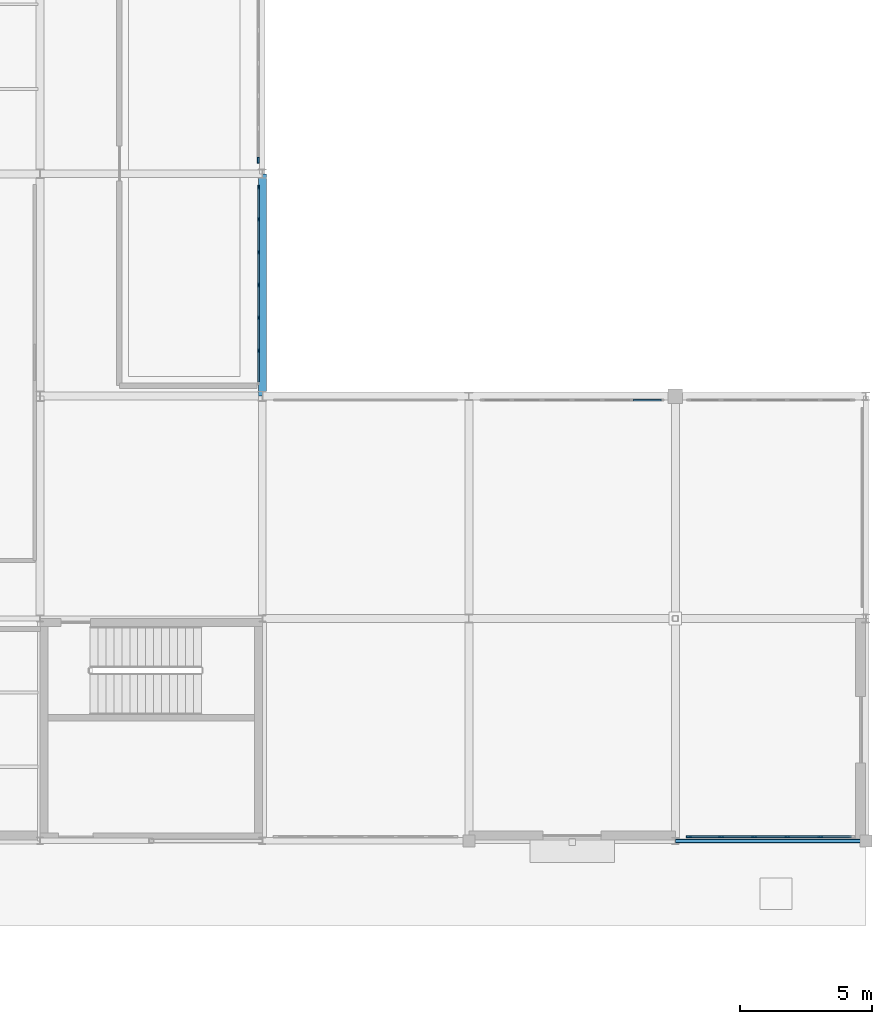
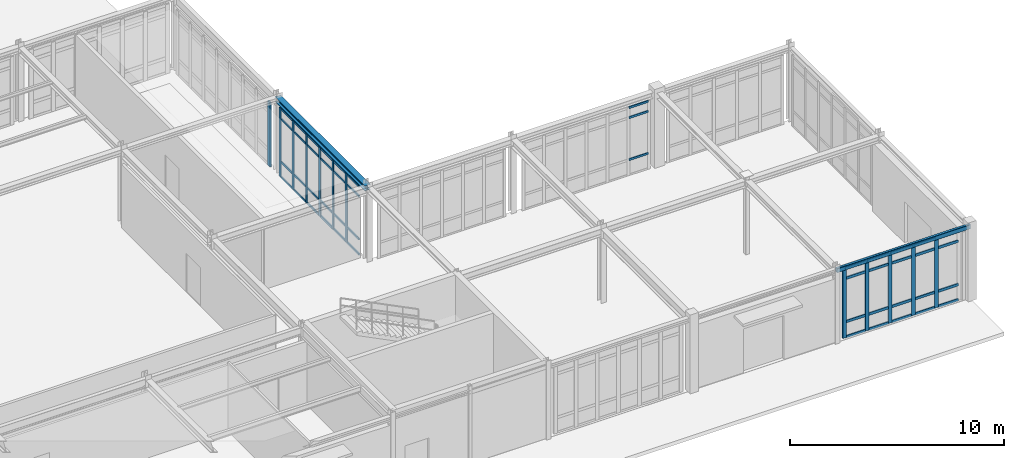
# One storey, part 53 of 101: 58 members, 2 beams, 4 elements without a shape of their own.
"""IFC4 building model written with IfcOpenShell, lengths in metres."""

from ifc_helpers import new_model, si_unit, derived_unit, direction, frame, origin, origin_2d, place, context, subcontext, project, spatial, rectangle, hollow_rectangle, i_section, extrude, material, layer, layer_set, material_profile, profile_set, type_object, element, aggregate, save


model = new_model("IFC4")

# Units and contexts
model_context = context("Model", 3, precision=1e-05, world=origin(), true_north=direction((0.0, 1.0)))
body_context = subcontext(model_context, "Body", "Model", "MODEL_VIEW")
ifc_project = project(units=[si_unit("LENGTHUNIT", "METRE"), si_unit("AREAUNIT", "SQUARE_METRE"), si_unit("VOLUMEUNIT", "CUBIC_METRE"), si_unit("PLANEANGLEUNIT", "RADIAN"), si_unit("MASSUNIT", "GRAM", prefix="KILO"), derived_unit("THERMALTRANSMITTANCEUNIT", [(si_unit("POWERUNIT", "WATT"), 1), (si_unit("AREAUNIT", "SQUARE_METRE"), -1), (si_unit("THERMODYNAMICTEMPERATUREUNIT", "KELVIN"), -1)])], contexts=[model_context])

# Site, building, storey
site_placement = place(None, origin())
site = spatial("IfcSite", under=ifc_project, at=site_placement, CompositionType="ELEMENT")
building_placement = place(site_placement, origin())
building = spatial("IfcBuilding", under=site, at=building_placement, Name="Yasenodar Specialist Clinic", CompositionType="ELEMENT")
storey_placement = place(building_placement, origin())
storey = spatial("IfcBuildingStorey", under=building, at=storey_placement, Name="L00", CompositionType="ELEMENT", Elevation=0.0)

# Beam
ifc_material_1 = material(Name="Steel S355", Category="steel")
ifc_material_profile_1 = material_profile(ifc_material_1, i_section(OverallWidth=0.300048828125, OverallDepth=0.2900390625, WebThickness=0.008544921875, FlangeThickness=0.013916015625, FilletRadius=0.027099609375, at=origin_2d()), Name="HEA 300")
ifc_profile_set_1 = profile_set([ifc_material_profile_1], Name="Steel S355")
beam_type_1 = type_object("IfcBeamType", Name="BM-HEA300", PredefinedType="BEAM", material=ifc_profile_set_1)
beam_1_placement = place(storey_placement, frame((138.60009765625, 16.800048828125, 4.10498046875), z_axis=(0.0, 1.0, 0.0), x_axis=(-1.0, 0.0, 0.0)))
element("IfcBeam", 1, at=beam_1_placement, inside=storey, type_object=beam_type_1, Name="L00 Primary N-S Girder", PredefinedType="BEAM", context=body_context, shape_type="SweptSolid", body=[
    extrude(i_section(OverallWidth=0.300048828125, OverallDepth=0.2900390625, WebThickness=0.008544921875, FlangeThickness=0.013916015625, FilletRadius=0.027099609375, at=origin_2d()), origin(), (0.0, 0.0, 1.0), 8.39990234375),
])

# Curtain wall, members
ifc_material_2 = material(Name="Bronze Anodized Aluminium and Triple Low-E Glass", Category="aluminium")
ifc_layer = layer(ifc_material_2, 0.178955078125)
ifc_layer_set = layer_set([ifc_layer], Name="Bronze Anodized Aluminium and Triple Low-E Glass")
curtain_wall_type = type_object("IfcCurtainWallType", Name="CW-SYS-02", PredefinedType="USERDEFINED", material=ifc_layer_set)
curtain_wall_1_placement = place(storey_placement, origin())
curtain_wall_1 = element("IfcCurtainWall", 2, at=curtain_wall_1_placement, inside=storey, type_object=curtain_wall_type, Name="L00 Unitised Curtain Wall 091", ObjectType="UNITISED CURTAIN WALL", PredefinedType="USERDEFINED")
ifc_material_3 = material(Name="Bronze Anodized Aluminium", Category="aluminium")
ifc_material_profile_2 = material_profile(ifc_material_3, rectangle(XDim=0.06005859375, YDim=0.159912109375, at=origin_2d()), Name="CW-MULL 60x160")
ifc_profile_set_2 = profile_set([ifc_material_profile_2], Name="Bronze Anodized Aluminium")
member_type_1 = type_object("IfcMemberType", Name="CW-MULL-160", PredefinedType="MULLION", material=ifc_profile_set_2)
member_1_placement = place(storey_placement, frame((138.449951171875, 24.68994140625, 0.0), z_axis=(0.0, 0.0, 1.0), x_axis=(1.0, 0.0, 0.0)))
member_1 = element("IfcMember", 3, at=member_1_placement, type_object=member_type_1, Name="CW-02 mullion 1", PredefinedType="MULLION", context=body_context, shape_type="SweptSolid", body=[
    extrude(rectangle(XDim=0.06005859375, YDim=0.159912109375, at=origin_2d()), origin(), (0.0, 0.0, 1.0), 3.93798828125),
])
member_2_placement = place(storey_placement, frame((138.449951171875, 23.47998046875, 0.0), z_axis=(0.0, 0.0, 1.0), x_axis=(1.0, 0.0, 0.0)))
member_2 = element("IfcMember", 4, at=member_2_placement, type_object=member_type_1, Name="CW-02 mullion 2", PredefinedType="MULLION", context=body_context, shape_type="SweptSolid", body=[
    extrude(rectangle(XDim=0.06005859375, YDim=0.159912109375, at=origin_2d()), origin(), (0.0, 0.0, 1.0), 3.93798828125),
])
member_3_placement = place(storey_placement, frame((138.449951171875, 22.239990234375, 0.0), z_axis=(0.0, 0.0, 1.0), x_axis=(1.0, 0.0, 0.0)))
member_3 = element("IfcMember", 5, at=member_3_placement, type_object=member_type_1, Name="CW-02 mullion 3", PredefinedType="MULLION", context=body_context, shape_type="SweptSolid", body=[
    extrude(rectangle(XDim=0.06005859375, YDim=0.159912109375, at=origin_2d()), origin(), (0.0, 0.0, 1.0), 3.93798828125),
])
member_4_placement = place(storey_placement, frame((138.449951171875, 21.0, 0.0), z_axis=(0.0, 0.0, 1.0), x_axis=(1.0, 0.0, 0.0)))
member_4 = element("IfcMember", 6, at=member_4_placement, type_object=member_type_1, Name="CW-02 mullion 4", PredefinedType="MULLION", context=body_context, shape_type="SweptSolid", body=[
    extrude(rectangle(XDim=0.06005859375, YDim=0.159912109375, at=origin_2d()), origin(), (0.0, 0.0, 1.0), 3.93798828125),
])
member_5_placement = place(storey_placement, frame((138.449951171875, 19.760009765625, 0.0), z_axis=(0.0, 0.0, 1.0), x_axis=(1.0, 0.0, 0.0)))
member_5 = element("IfcMember", 7, at=member_5_placement, type_object=member_type_1, Name="CW-02 mullion 5", PredefinedType="MULLION", context=body_context, shape_type="SweptSolid", body=[
    extrude(rectangle(XDim=0.06005859375, YDim=0.159912109375, at=origin_2d()), origin(), (0.0, 0.0, 1.0), 3.93798828125),
])
member_6_placement = place(storey_placement, frame((138.449951171875, 18.52001953125, 0.0), z_axis=(0.0, 0.0, 1.0), x_axis=(1.0, 0.0, 0.0)))
member_6 = element("IfcMember", 8, at=member_6_placement, type_object=member_type_1, Name="CW-02 mullion 6", PredefinedType="MULLION", context=body_context, shape_type="SweptSolid", body=[
    extrude(rectangle(XDim=0.06005859375, YDim=0.159912109375, at=origin_2d()), origin(), (0.0, 0.0, 1.0), 3.93798828125),
])

curtain_wall_2_placement = place(storey_placement, origin())
curtain_wall_2 = element("IfcCurtainWall", 9, at=curtain_wall_2_placement, inside=storey, type_object=curtain_wall_type, Name="L00 Unitised Curtain Wall 078", ObjectType="UNITISED CURTAIN WALL", PredefinedType="USERDEFINED")
ifc_material_profile_3 = material_profile(ifc_material_3, rectangle(XDim=0.070068359375, YDim=0.199951171875, at=origin_2d()), Name="CW-MULL 70x200")
ifc_profile_set_3 = profile_set([ifc_material_profile_3], Name="Bronze Anodized Aluminium")
member_type_2 = type_object("IfcMemberType", Name="CW-MULL-200", PredefinedType="MULLION", material=ifc_profile_set_3)
member_7_placement = place(storey_placement, frame((159.672119140625, 0.14990234375, 0.0), z_axis=(0.0, 0.0, 1.0), x_axis=(0.0, -1.0, 0.0)))
member_7 = element("IfcMember", 10, at=member_7_placement, type_object=member_type_2, Name="CW-02 mullion 2", PredefinedType="MULLION", context=body_context, shape_type="SweptSolid", body=[
    extrude(rectangle(XDim=0.070068359375, YDim=0.199951171875, at=origin_2d()), origin(), (0.0, 0.0, 1.0), 3.97802734375),
])
member_8_placement = place(storey_placement, frame((158.424072265625, 0.14990234375, 0.0), z_axis=(0.0, 0.0, 1.0), x_axis=(0.0, -1.0, 0.0)))
member_8 = element("IfcMember", 11, at=member_8_placement, type_object=member_type_2, Name="CW-02 mullion 3", PredefinedType="MULLION", context=body_context, shape_type="SweptSolid", body=[
    extrude(rectangle(XDim=0.070068359375, YDim=0.199951171875, at=origin_2d()), origin(), (0.0, 0.0, 1.0), 3.97802734375),
])
member_9_placement = place(storey_placement, frame((157.176025390625, 0.14990234375, 0.0), z_axis=(0.0, 0.0, 1.0), x_axis=(0.0, -1.0, 0.0)))
member_9 = element("IfcMember", 12, at=member_9_placement, type_object=member_type_2, Name="CW-02 mullion 4", PredefinedType="MULLION", context=body_context, shape_type="SweptSolid", body=[
    extrude(rectangle(XDim=0.070068359375, YDim=0.199951171875, at=origin_2d()), origin(), (0.0, 0.0, 1.0), 3.97802734375),
])
member_10_placement = place(storey_placement, frame((155.927978515625, 0.14990234375, 0.0), z_axis=(0.0, 0.0, 1.0), x_axis=(0.0, -1.0, 0.0)))
member_10 = element("IfcMember", 13, at=member_10_placement, type_object=member_type_2, Name="CW-02 mullion 5", PredefinedType="MULLION", context=body_context, shape_type="SweptSolid", body=[
    extrude(rectangle(XDim=0.070068359375, YDim=0.199951171875, at=origin_2d()), origin(), (0.0, 0.0, 1.0), 3.97802734375),
])
member_11_placement = place(storey_placement, frame((154.715087890625, 0.14990234375, 0.0), z_axis=(0.0, 0.0, 1.0), x_axis=(0.0, -1.0, 0.0)))
member_11 = element("IfcMember", 14, at=member_11_placement, type_object=member_type_2, Name="CW-02 mullion 6", PredefinedType="MULLION", context=body_context, shape_type="SweptSolid", body=[
    extrude(rectangle(XDim=0.070068359375, YDim=0.199951171875, at=origin_2d()), origin(), (0.0, 0.0, 1.0), 3.97802734375),
])

# Curtain wall, member
curtain_wall_3_placement = place(storey_placement, origin())
curtain_wall_3 = element("IfcCurtainWall", 15, at=curtain_wall_3_placement, inside=storey, type_object=curtain_wall_type, Name="L00 Unitised Curtain Wall 090", ObjectType="UNITISED CURTAIN WALL", PredefinedType="USERDEFINED")
ifc_material_profile_4 = material_profile(ifc_material_3, rectangle(XDim=0.074951171875, YDim=0.22509765625, at=origin_2d()), Name="CW-MULL 75x225")
ifc_profile_set_4 = profile_set([ifc_material_profile_4], Name="Bronze Anodized Aluminium")
member_type_3 = type_object("IfcMemberType", Name="CW-MULL-225", PredefinedType="MULLION", material=ifc_profile_set_4)
member_12_placement = place(storey_placement, frame((138.449951171875, 25.717529296875, 0.0), z_axis=(0.0, 0.0, 1.0), x_axis=(1.0, 0.0, 0.0)))
member_12 = element("IfcMember", 16, at=member_12_placement, type_object=member_type_3, Name="CW-02 mullion 8", PredefinedType="MULLION", context=body_context, shape_type="SweptSolid", body=[
    extrude(rectangle(XDim=0.074951171875, YDim=0.22509765625, at=origin_2d()), origin(), (0.0, 0.0, 1.0), 3.677978515625),
])
aggregate(curtain_wall_3, [member_12])

# Curtain wall, members
curtain_wall_4_placement = place(storey_placement, origin())
curtain_wall_4 = element("IfcCurtainWall", 17, at=curtain_wall_4_placement, inside=storey, type_object=curtain_wall_type, Name="L00 Unitised Curtain Wall 088", ObjectType="UNITISED CURTAIN WALL", PredefinedType="USERDEFINED")
ifc_material_profile_5 = material_profile(ifc_material_3, rectangle(XDim=0.06005859375, YDim=0.1201171875, at=origin_2d()), Name="CW-TRAN 60x120")
ifc_profile_set_5 = profile_set([ifc_material_profile_5], Name="Bronze Anodized Aluminium")
member_type_4 = type_object("IfcMemberType", Name="CW-TRAN-120", PredefinedType="USERDEFINED", material=ifc_profile_set_5)
member_13_placement = place(storey_placement, frame((152.610107421875, 16.64990234375, 0.89990234375), z_axis=(1.0, 0.0, 0.0), x_axis=(0.0, 1.0, 0.0)))
member_13 = element("IfcMember", 18, at=member_13_placement, type_object=member_type_4, Name="CW-02 transom 6.2", ObjectType="TRANSOM", PredefinedType="USERDEFINED", context=body_context, shape_type="SweptSolid", body=[
    extrude(rectangle(XDim=0.06005859375, YDim=0.1201171875, at=origin_2d()), origin(), (0.0, 0.0, 1.0), 1.0498046875),
])
member_14_placement = place(storey_placement, frame((152.610107421875, 16.64990234375, 3.298095703125), z_axis=(1.0, 0.0, 0.0), x_axis=(0.0, 1.0, 0.0)))
member_14 = element("IfcMember", 19, at=member_14_placement, type_object=member_type_4, Name="CW-02 transom 6.3", ObjectType="TRANSOM", PredefinedType="USERDEFINED", context=body_context, shape_type="SweptSolid", body=[
    extrude(rectangle(XDim=0.06005859375, YDim=0.1201171875, at=origin_2d()), origin(), (0.0, 0.0, 1.0), 1.0498046875),
])
member_15_placement = place(storey_placement, frame((152.610107421875, 16.64990234375, 3.867919921875), z_axis=(1.0, 0.0, 0.0), x_axis=(0.0, 1.0, 0.0)))
member_15 = element("IfcMember", 20, at=member_15_placement, type_object=member_type_4, Name="CW-02 transom 6.4", ObjectType="TRANSOM", PredefinedType="USERDEFINED", context=body_context, shape_type="SweptSolid", body=[
    extrude(rectangle(XDim=0.06005859375, YDim=0.1201171875, at=origin_2d()), origin(), (0.0, 0.0, 1.0), 1.0498046875),
])
aggregate(curtain_wall_4, [member_13, member_14, member_15])

# Member
member_16_placement = place(storey_placement, frame((138.449951171875, 24.659912109375, 0.030029296875), z_axis=(0.0, -1.0, 0.0), x_axis=(1.0, 0.0, 0.0)))
member_16 = element("IfcMember", 21, at=member_16_placement, type_object=member_type_4, Name="CW-02 transom 1.1", ObjectType="TRANSOM", PredefinedType="USERDEFINED", context=body_context, shape_type="SweptSolid", body=[
    extrude(rectangle(XDim=0.06005859375, YDim=0.1201171875, at=origin_2d()), origin(), (0.0, 0.0, 1.0), 1.14990234375),
])

member_17_placement = place(storey_placement, frame((138.449951171875, 24.659912109375, 0.89990234375), z_axis=(0.0, -1.0, 0.0), x_axis=(1.0, 0.0, 0.0)))
member_17 = element("IfcMember", 22, at=member_17_placement, type_object=member_type_4, Name="CW-02 transom 1.2", ObjectType="TRANSOM", PredefinedType="USERDEFINED", context=body_context, shape_type="SweptSolid", body=[
    extrude(rectangle(XDim=0.06005859375, YDim=0.1201171875, at=origin_2d()), origin(), (0.0, 0.0, 1.0), 1.14990234375),
])

member_18_placement = place(storey_placement, frame((138.449951171875, 24.659912109375, 3.337890625), z_axis=(0.0, -1.0, 0.0), x_axis=(1.0, 0.0, 0.0)))
member_18 = element("IfcMember", 23, at=member_18_placement, type_object=member_type_4, Name="CW-02 transom 1.3", ObjectType="TRANSOM", PredefinedType="USERDEFINED", context=body_context, shape_type="SweptSolid", body=[
    extrude(rectangle(XDim=0.06005859375, YDim=0.1201171875, at=origin_2d()), origin(), (0.0, 0.0, 1.0), 1.14990234375),
])

member_19_placement = place(storey_placement, frame((138.449951171875, 24.659912109375, 3.907958984375), z_axis=(0.0, -1.0, 0.0), x_axis=(1.0, 0.0, 0.0)))
member_19 = element("IfcMember", 24, at=member_19_placement, type_object=member_type_4, Name="CW-02 transom 1.4", ObjectType="TRANSOM", PredefinedType="USERDEFINED", context=body_context, shape_type="SweptSolid", body=[
    extrude(rectangle(XDim=0.06005859375, YDim=0.1201171875, at=origin_2d()), origin(), (0.0, 0.0, 1.0), 1.14990234375),
])

member_20_placement = place(storey_placement, frame((138.449951171875, 23.449951171875, 0.030029296875), z_axis=(0.0, -1.0, 0.0), x_axis=(1.0, 0.0, 0.0)))
member_20 = element("IfcMember", 25, at=member_20_placement, type_object=member_type_4, Name="CW-02 transom 2.1", ObjectType="TRANSOM", PredefinedType="USERDEFINED", context=body_context, shape_type="SweptSolid", body=[
    extrude(rectangle(XDim=0.06005859375, YDim=0.1201171875, at=origin_2d()), origin(), (0.0, 0.0, 1.0), 1.179931640625),
])

member_21_placement = place(storey_placement, frame((138.449951171875, 23.449951171875, 0.89990234375), z_axis=(0.0, -1.0, 0.0), x_axis=(1.0, 0.0, 0.0)))
member_21 = element("IfcMember", 26, at=member_21_placement, type_object=member_type_4, Name="CW-02 transom 2.2", ObjectType="TRANSOM", PredefinedType="USERDEFINED", context=body_context, shape_type="SweptSolid", body=[
    extrude(rectangle(XDim=0.06005859375, YDim=0.1201171875, at=origin_2d()), origin(), (0.0, 0.0, 1.0), 1.179931640625),
])

member_22_placement = place(storey_placement, frame((138.449951171875, 23.449951171875, 3.337890625), z_axis=(0.0, -1.0, 0.0), x_axis=(1.0, 0.0, 0.0)))
member_22 = element("IfcMember", 27, at=member_22_placement, type_object=member_type_4, Name="CW-02 transom 2.3", ObjectType="TRANSOM", PredefinedType="USERDEFINED", context=body_context, shape_type="SweptSolid", body=[
    extrude(rectangle(XDim=0.06005859375, YDim=0.1201171875, at=origin_2d()), origin(), (0.0, 0.0, 1.0), 1.179931640625),
])

member_23_placement = place(storey_placement, frame((138.449951171875, 23.449951171875, 3.907958984375), z_axis=(0.0, -1.0, 0.0), x_axis=(1.0, 0.0, 0.0)))
member_23 = element("IfcMember", 28, at=member_23_placement, type_object=member_type_4, Name="CW-02 transom 2.4", ObjectType="TRANSOM", PredefinedType="USERDEFINED", context=body_context, shape_type="SweptSolid", body=[
    extrude(rectangle(XDim=0.06005859375, YDim=0.1201171875, at=origin_2d()), origin(), (0.0, 0.0, 1.0), 1.179931640625),
])

member_24_placement = place(storey_placement, frame((138.449951171875, 22.2099609375, 0.030029296875), z_axis=(0.0, -1.0, 0.0), x_axis=(1.0, 0.0, 0.0)))
member_24 = element("IfcMember", 29, at=member_24_placement, type_object=member_type_4, Name="CW-02 transom 3.1", ObjectType="TRANSOM", PredefinedType="USERDEFINED", context=body_context, shape_type="SweptSolid", body=[
    extrude(rectangle(XDim=0.06005859375, YDim=0.1201171875, at=origin_2d()), origin(), (0.0, 0.0, 1.0), 1.179931640625),
])

member_25_placement = place(storey_placement, frame((138.449951171875, 22.2099609375, 0.89990234375), z_axis=(0.0, -1.0, 0.0), x_axis=(1.0, 0.0, 0.0)))
member_25 = element("IfcMember", 30, at=member_25_placement, type_object=member_type_4, Name="CW-02 transom 3.2", ObjectType="TRANSOM", PredefinedType="USERDEFINED", context=body_context, shape_type="SweptSolid", body=[
    extrude(rectangle(XDim=0.06005859375, YDim=0.1201171875, at=origin_2d()), origin(), (0.0, 0.0, 1.0), 1.179931640625),
])

member_26_placement = place(storey_placement, frame((138.449951171875, 22.2099609375, 3.337890625), z_axis=(0.0, -1.0, 0.0), x_axis=(1.0, 0.0, 0.0)))
member_26 = element("IfcMember", 31, at=member_26_placement, type_object=member_type_4, Name="CW-02 transom 3.3", ObjectType="TRANSOM", PredefinedType="USERDEFINED", context=body_context, shape_type="SweptSolid", body=[
    extrude(rectangle(XDim=0.06005859375, YDim=0.1201171875, at=origin_2d()), origin(), (0.0, 0.0, 1.0), 1.179931640625),
])

member_27_placement = place(storey_placement, frame((138.449951171875, 22.2099609375, 3.907958984375), z_axis=(0.0, -1.0, 0.0), x_axis=(1.0, 0.0, 0.0)))
member_27 = element("IfcMember", 32, at=member_27_placement, type_object=member_type_4, Name="CW-02 transom 3.4", ObjectType="TRANSOM", PredefinedType="USERDEFINED", context=body_context, shape_type="SweptSolid", body=[
    extrude(rectangle(XDim=0.06005859375, YDim=0.1201171875, at=origin_2d()), origin(), (0.0, 0.0, 1.0), 1.179931640625),
])

member_28_placement = place(storey_placement, frame((138.449951171875, 20.969970703125, 0.030029296875), z_axis=(0.0, -1.0, 0.0), x_axis=(1.0, 0.0, 0.0)))
member_28 = element("IfcMember", 33, at=member_28_placement, type_object=member_type_4, Name="CW-02 transom 4.1", ObjectType="TRANSOM", PredefinedType="USERDEFINED", context=body_context, shape_type="SweptSolid", body=[
    extrude(rectangle(XDim=0.06005859375, YDim=0.1201171875, at=origin_2d()), origin(), (0.0, 0.0, 1.0), 1.179931640625),
])

member_29_placement = place(storey_placement, frame((138.449951171875, 20.969970703125, 0.89990234375), z_axis=(0.0, -1.0, 0.0), x_axis=(1.0, 0.0, 0.0)))
member_29 = element("IfcMember", 34, at=member_29_placement, type_object=member_type_4, Name="CW-02 transom 4.2", ObjectType="TRANSOM", PredefinedType="USERDEFINED", context=body_context, shape_type="SweptSolid", body=[
    extrude(rectangle(XDim=0.06005859375, YDim=0.1201171875, at=origin_2d()), origin(), (0.0, 0.0, 1.0), 1.179931640625),
])

member_30_placement = place(storey_placement, frame((138.449951171875, 20.969970703125, 3.337890625), z_axis=(0.0, -1.0, 0.0), x_axis=(1.0, 0.0, 0.0)))
member_30 = element("IfcMember", 35, at=member_30_placement, type_object=member_type_4, Name="CW-02 transom 4.3", ObjectType="TRANSOM", PredefinedType="USERDEFINED", context=body_context, shape_type="SweptSolid", body=[
    extrude(rectangle(XDim=0.06005859375, YDim=0.1201171875, at=origin_2d()), origin(), (0.0, 0.0, 1.0), 1.179931640625),
])

member_31_placement = place(storey_placement, frame((138.449951171875, 20.969970703125, 3.907958984375), z_axis=(0.0, -1.0, 0.0), x_axis=(1.0, 0.0, 0.0)))
member_31 = element("IfcMember", 36, at=member_31_placement, type_object=member_type_4, Name="CW-02 transom 4.4", ObjectType="TRANSOM", PredefinedType="USERDEFINED", context=body_context, shape_type="SweptSolid", body=[
    extrude(rectangle(XDim=0.06005859375, YDim=0.1201171875, at=origin_2d()), origin(), (0.0, 0.0, 1.0), 1.179931640625),
])

member_32_placement = place(storey_placement, frame((138.449951171875, 19.72998046875, 0.030029296875), z_axis=(0.0, -1.0, 0.0), x_axis=(1.0, 0.0, 0.0)))
member_32 = element("IfcMember", 37, at=member_32_placement, type_object=member_type_4, Name="CW-02 transom 5.1", ObjectType="TRANSOM", PredefinedType="USERDEFINED", context=body_context, shape_type="SweptSolid", body=[
    extrude(rectangle(XDim=0.06005859375, YDim=0.1201171875, at=origin_2d()), origin(), (0.0, 0.0, 1.0), 1.179931640625),
])

member_33_placement = place(storey_placement, frame((138.449951171875, 19.72998046875, 0.89990234375), z_axis=(0.0, -1.0, 0.0), x_axis=(1.0, 0.0, 0.0)))
member_33 = element("IfcMember", 38, at=member_33_placement, type_object=member_type_4, Name="CW-02 transom 5.2", ObjectType="TRANSOM", PredefinedType="USERDEFINED", context=body_context, shape_type="SweptSolid", body=[
    extrude(rectangle(XDim=0.06005859375, YDim=0.1201171875, at=origin_2d()), origin(), (0.0, 0.0, 1.0), 1.179931640625),
])

member_34_placement = place(storey_placement, frame((138.449951171875, 19.72998046875, 3.337890625), z_axis=(0.0, -1.0, 0.0), x_axis=(1.0, 0.0, 0.0)))
member_34 = element("IfcMember", 39, at=member_34_placement, type_object=member_type_4, Name="CW-02 transom 5.3", ObjectType="TRANSOM", PredefinedType="USERDEFINED", context=body_context, shape_type="SweptSolid", body=[
    extrude(rectangle(XDim=0.06005859375, YDim=0.1201171875, at=origin_2d()), origin(), (0.0, 0.0, 1.0), 1.179931640625),
])

member_35_placement = place(storey_placement, frame((138.449951171875, 19.72998046875, 3.907958984375), z_axis=(0.0, -1.0, 0.0), x_axis=(1.0, 0.0, 0.0)))
member_35 = element("IfcMember", 40, at=member_35_placement, type_object=member_type_4, Name="CW-02 transom 5.4", ObjectType="TRANSOM", PredefinedType="USERDEFINED", context=body_context, shape_type="SweptSolid", body=[
    extrude(rectangle(XDim=0.06005859375, YDim=0.1201171875, at=origin_2d()), origin(), (0.0, 0.0, 1.0), 1.179931640625),
])

member_36_placement = place(storey_placement, frame((138.449951171875, 18.489990234375, 0.030029296875), z_axis=(0.0, -1.0, 0.0), x_axis=(1.0, 0.0, 0.0)))
member_36 = element("IfcMember", 41, at=member_36_placement, type_object=member_type_4, Name="CW-02 transom 6.1", ObjectType="TRANSOM", PredefinedType="USERDEFINED", context=body_context, shape_type="SweptSolid", body=[
    extrude(rectangle(XDim=0.06005859375, YDim=0.1201171875, at=origin_2d()), origin(), (0.0, 0.0, 1.0), 1.14990234375),
])

member_37_placement = place(storey_placement, frame((138.449951171875, 18.489990234375, 0.89990234375), z_axis=(0.0, -1.0, 0.0), x_axis=(1.0, 0.0, 0.0)))
member_37 = element("IfcMember", 42, at=member_37_placement, type_object=member_type_4, Name="CW-02 transom 6.2", ObjectType="TRANSOM", PredefinedType="USERDEFINED", context=body_context, shape_type="SweptSolid", body=[
    extrude(rectangle(XDim=0.06005859375, YDim=0.1201171875, at=origin_2d()), origin(), (0.0, 0.0, 1.0), 1.14990234375),
])

member_38_placement = place(storey_placement, frame((138.449951171875, 18.489990234375, 3.337890625), z_axis=(0.0, -1.0, 0.0), x_axis=(1.0, 0.0, 0.0)))
member_38 = element("IfcMember", 43, at=member_38_placement, type_object=member_type_4, Name="CW-02 transom 6.3", ObjectType="TRANSOM", PredefinedType="USERDEFINED", context=body_context, shape_type="SweptSolid", body=[
    extrude(rectangle(XDim=0.06005859375, YDim=0.1201171875, at=origin_2d()), origin(), (0.0, 0.0, 1.0), 1.14990234375),
])

member_39_placement = place(storey_placement, frame((138.449951171875, 18.489990234375, 3.907958984375), z_axis=(0.0, -1.0, 0.0), x_axis=(1.0, 0.0, 0.0)))
member_39 = element("IfcMember", 44, at=member_39_placement, type_object=member_type_4, Name="CW-02 transom 6.4", ObjectType="TRANSOM", PredefinedType="USERDEFINED", context=body_context, shape_type="SweptSolid", body=[
    extrude(rectangle(XDim=0.06005859375, YDim=0.1201171875, at=origin_2d()), origin(), (0.0, 0.0, 1.0), 1.14990234375),
])

aggregate(curtain_wall_1, [member_1, member_2, member_3, member_4, member_5, member_6, member_16, member_17, member_18, member_19, member_20, member_21, member_22, member_23, member_24, member_25, member_26, member_27, member_28, member_29, member_30, member_31, member_32, member_33, member_34, member_35, member_36, member_37, member_38, member_39])

ifc_material_profile_6 = material_profile(ifc_material_3, rectangle(XDim=0.070068359375, YDim=0.14990234375, at=origin_2d()), Name="CW-TRAN 70x150")
ifc_profile_set_6 = profile_set([ifc_material_profile_6], Name="Bronze Anodized Aluminium")
member_type_5 = type_object("IfcMemberType", Name="CW-TRAN-150", PredefinedType="USERDEFINED", material=ifc_profile_set_6)
member_40_placement = place(storey_placement, frame((160.85009765625, 0.14990234375, 0.034912109375), z_axis=(-1.0, 0.0, 0.0), x_axis=(0.0, -1.0, 0.0)))
member_40 = element("IfcMember", 45, at=member_40_placement, type_object=member_type_5, Name="CW-02 transom 1.1", ObjectType="TRANSOM", PredefinedType="USERDEFINED", context=body_context, shape_type="SweptSolid", body=[
    extrude(rectangle(XDim=0.070068359375, YDim=0.14990234375, at=origin_2d()), origin(), (0.0, 0.0, 1.0), 1.14306640625),
])

member_41_placement = place(storey_placement, frame((160.85009765625, 0.14990234375, 0.89990234375), z_axis=(-1.0, 0.0, 0.0), x_axis=(0.0, -1.0, 0.0)))
member_41 = element("IfcMember", 46, at=member_41_placement, type_object=member_type_5, Name="CW-02 transom 1.2", ObjectType="TRANSOM", PredefinedType="USERDEFINED", context=body_context, shape_type="SweptSolid", body=[
    extrude(rectangle(XDim=0.070068359375, YDim=0.14990234375, at=origin_2d()), origin(), (0.0, 0.0, 1.0), 1.14306640625),
])

member_42_placement = place(storey_placement, frame((160.85009765625, 0.14990234375, 3.3779296875), z_axis=(-1.0, 0.0, 0.0), x_axis=(0.0, -1.0, 0.0)))
member_42 = element("IfcMember", 47, at=member_42_placement, type_object=member_type_5, Name="CW-02 transom 1.3", ObjectType="TRANSOM", PredefinedType="USERDEFINED", context=body_context, shape_type="SweptSolid", body=[
    extrude(rectangle(XDim=0.070068359375, YDim=0.14990234375, at=origin_2d()), origin(), (0.0, 0.0, 1.0), 1.14306640625),
])

member_43_placement = place(storey_placement, frame((159.636962890625, 0.14990234375, 0.034912109375), z_axis=(-1.0, 0.0, 0.0), x_axis=(0.0, -1.0, 0.0)))
member_43 = element("IfcMember", 48, at=member_43_placement, type_object=member_type_5, Name="CW-02 transom 2.1", ObjectType="TRANSOM", PredefinedType="USERDEFINED", context=body_context, shape_type="SweptSolid", body=[
    extrude(rectangle(XDim=0.070068359375, YDim=0.14990234375, at=origin_2d()), origin(), (0.0, 0.0, 1.0), 1.177978515625),
])

member_44_placement = place(storey_placement, frame((159.636962890625, 0.14990234375, 0.89990234375), z_axis=(-1.0, 0.0, 0.0), x_axis=(0.0, -1.0, 0.0)))
member_44 = element("IfcMember", 49, at=member_44_placement, type_object=member_type_5, Name="CW-02 transom 2.2", ObjectType="TRANSOM", PredefinedType="USERDEFINED", context=body_context, shape_type="SweptSolid", body=[
    extrude(rectangle(XDim=0.070068359375, YDim=0.14990234375, at=origin_2d()), origin(), (0.0, 0.0, 1.0), 1.177978515625),
])

member_45_placement = place(storey_placement, frame((159.636962890625, 0.14990234375, 3.3779296875), z_axis=(-1.0, 0.0, 0.0), x_axis=(0.0, -1.0, 0.0)))
member_45 = element("IfcMember", 50, at=member_45_placement, type_object=member_type_5, Name="CW-02 transom 2.3", ObjectType="TRANSOM", PredefinedType="USERDEFINED", context=body_context, shape_type="SweptSolid", body=[
    extrude(rectangle(XDim=0.070068359375, YDim=0.14990234375, at=origin_2d()), origin(), (0.0, 0.0, 1.0), 1.177978515625),
])

member_46_placement = place(storey_placement, frame((159.636962890625, 0.14990234375, 3.943115234375), z_axis=(-1.0, 0.0, 0.0), x_axis=(0.0, -1.0, 0.0)))
member_46 = element("IfcMember", 51, at=member_46_placement, type_object=member_type_5, Name="CW-02 transom 2.4", ObjectType="TRANSOM", PredefinedType="USERDEFINED", context=body_context, shape_type="SweptSolid", body=[
    extrude(rectangle(XDim=0.070068359375, YDim=0.14990234375, at=origin_2d()), origin(), (0.0, 0.0, 1.0), 1.177978515625),
])

member_47_placement = place(storey_placement, frame((158.388916015625, 0.14990234375, 0.034912109375), z_axis=(-1.0, 0.0, 0.0), x_axis=(0.0, -1.0, 0.0)))
member_47 = element("IfcMember", 52, at=member_47_placement, type_object=member_type_5, Name="CW-02 transom 3.1", ObjectType="TRANSOM", PredefinedType="USERDEFINED", context=body_context, shape_type="SweptSolid", body=[
    extrude(rectangle(XDim=0.070068359375, YDim=0.14990234375, at=origin_2d()), origin(), (0.0, 0.0, 1.0), 1.177978515625),
])

member_48_placement = place(storey_placement, frame((158.388916015625, 0.14990234375, 0.89990234375), z_axis=(-1.0, 0.0, 0.0), x_axis=(0.0, -1.0, 0.0)))
member_48 = element("IfcMember", 53, at=member_48_placement, type_object=member_type_5, Name="CW-02 transom 3.2", ObjectType="TRANSOM", PredefinedType="USERDEFINED", context=body_context, shape_type="SweptSolid", body=[
    extrude(rectangle(XDim=0.070068359375, YDim=0.14990234375, at=origin_2d()), origin(), (0.0, 0.0, 1.0), 1.177978515625),
])

member_49_placement = place(storey_placement, frame((158.388916015625, 0.14990234375, 3.3779296875), z_axis=(-1.0, 0.0, 0.0), x_axis=(0.0, -1.0, 0.0)))
member_49 = element("IfcMember", 54, at=member_49_placement, type_object=member_type_5, Name="CW-02 transom 3.3", ObjectType="TRANSOM", PredefinedType="USERDEFINED", context=body_context, shape_type="SweptSolid", body=[
    extrude(rectangle(XDim=0.070068359375, YDim=0.14990234375, at=origin_2d()), origin(), (0.0, 0.0, 1.0), 1.177978515625),
])

member_50_placement = place(storey_placement, frame((158.388916015625, 0.14990234375, 3.943115234375), z_axis=(-1.0, 0.0, 0.0), x_axis=(0.0, -1.0, 0.0)))
member_50 = element("IfcMember", 55, at=member_50_placement, type_object=member_type_5, Name="CW-02 transom 3.4", ObjectType="TRANSOM", PredefinedType="USERDEFINED", context=body_context, shape_type="SweptSolid", body=[
    extrude(rectangle(XDim=0.070068359375, YDim=0.14990234375, at=origin_2d()), origin(), (0.0, 0.0, 1.0), 1.177978515625),
])

member_51_placement = place(storey_placement, frame((157.14111328125, 0.14990234375, 0.034912109375), z_axis=(-1.0, 0.0, 0.0), x_axis=(0.0, -1.0, 0.0)))
member_51 = element("IfcMember", 56, at=member_51_placement, type_object=member_type_5, Name="CW-02 transom 4.1", ObjectType="TRANSOM", PredefinedType="USERDEFINED", context=body_context, shape_type="SweptSolid", body=[
    extrude(rectangle(XDim=0.070068359375, YDim=0.14990234375, at=origin_2d()), origin(), (0.0, 0.0, 1.0), 1.17822265625),
])

member_52_placement = place(storey_placement, frame((157.14111328125, 0.14990234375, 0.89990234375), z_axis=(-1.0, 0.0, 0.0), x_axis=(0.0, -1.0, 0.0)))
member_52 = element("IfcMember", 57, at=member_52_placement, type_object=member_type_5, Name="CW-02 transom 4.2", ObjectType="TRANSOM", PredefinedType="USERDEFINED", context=body_context, shape_type="SweptSolid", body=[
    extrude(rectangle(XDim=0.070068359375, YDim=0.14990234375, at=origin_2d()), origin(), (0.0, 0.0, 1.0), 1.17822265625),
])

member_53_placement = place(storey_placement, frame((157.14111328125, 0.14990234375, 3.3779296875), z_axis=(-1.0, 0.0, 0.0), x_axis=(0.0, -1.0, 0.0)))
member_53 = element("IfcMember", 58, at=member_53_placement, type_object=member_type_5, Name="CW-02 transom 4.3", ObjectType="TRANSOM", PredefinedType="USERDEFINED", context=body_context, shape_type="SweptSolid", body=[
    extrude(rectangle(XDim=0.070068359375, YDim=0.14990234375, at=origin_2d()), origin(), (0.0, 0.0, 1.0), 1.17822265625),
])

member_54_placement = place(storey_placement, frame((157.14111328125, 0.14990234375, 3.943115234375), z_axis=(-1.0, 0.0, 0.0), x_axis=(0.0, -1.0, 0.0)))
member_54 = element("IfcMember", 59, at=member_54_placement, type_object=member_type_5, Name="CW-02 transom 4.4", ObjectType="TRANSOM", PredefinedType="USERDEFINED", context=body_context, shape_type="SweptSolid", body=[
    extrude(rectangle(XDim=0.070068359375, YDim=0.14990234375, at=origin_2d()), origin(), (0.0, 0.0, 1.0), 1.17822265625),
])

member_55_placement = place(storey_placement, frame((155.89306640625, 0.14990234375, 0.034912109375), z_axis=(-1.0, 0.0, 0.0), x_axis=(0.0, -1.0, 0.0)))
member_55 = element("IfcMember", 60, at=member_55_placement, type_object=member_type_5, Name="CW-02 transom 5.1", ObjectType="TRANSOM", PredefinedType="USERDEFINED", context=body_context, shape_type="SweptSolid", body=[
    extrude(rectangle(XDim=0.070068359375, YDim=0.14990234375, at=origin_2d()), origin(), (0.0, 0.0, 1.0), 1.14306640625),
])

member_56_placement = place(storey_placement, frame((155.89306640625, 0.14990234375, 0.89990234375), z_axis=(-1.0, 0.0, 0.0), x_axis=(0.0, -1.0, 0.0)))
member_56 = element("IfcMember", 61, at=member_56_placement, type_object=member_type_5, Name="CW-02 transom 5.2", ObjectType="TRANSOM", PredefinedType="USERDEFINED", context=body_context, shape_type="SweptSolid", body=[
    extrude(rectangle(XDim=0.070068359375, YDim=0.14990234375, at=origin_2d()), origin(), (0.0, 0.0, 1.0), 1.14306640625),
])

member_57_placement = place(storey_placement, frame((155.89306640625, 0.14990234375, 3.3779296875), z_axis=(-1.0, 0.0, 0.0), x_axis=(0.0, -1.0, 0.0)))
member_57 = element("IfcMember", 62, at=member_57_placement, type_object=member_type_5, Name="CW-02 transom 5.3", ObjectType="TRANSOM", PredefinedType="USERDEFINED", context=body_context, shape_type="SweptSolid", body=[
    extrude(rectangle(XDim=0.070068359375, YDim=0.14990234375, at=origin_2d()), origin(), (0.0, 0.0, 1.0), 1.14306640625),
])

member_58_placement = place(storey_placement, frame((155.89306640625, 0.14990234375, 3.943115234375), z_axis=(-1.0, 0.0, 0.0), x_axis=(0.0, -1.0, 0.0)))
member_58 = element("IfcMember", 63, at=member_58_placement, type_object=member_type_5, Name="CW-02 transom 5.4", ObjectType="TRANSOM", PredefinedType="USERDEFINED", context=body_context, shape_type="SweptSolid", body=[
    extrude(rectangle(XDim=0.070068359375, YDim=0.14990234375, at=origin_2d()), origin(), (0.0, 0.0, 1.0), 1.14306640625),
])

aggregate(curtain_wall_2, [member_7, member_8, member_9, member_10, member_11, member_40, member_41, member_42, member_43, member_44, member_45, member_46, member_47, member_48, member_49, member_50, member_51, member_52, member_53, member_54, member_55, member_56, member_57, member_58])

# Beam
ifc_material_profile_7 = material_profile(ifc_material_1, hollow_rectangle(XDim=0.14990234375, YDim=0.25, WallThickness=0.010009765625, InnerFilletRadius=0.014892578125, OuterFilletRadius=0.02490234375, at=origin_2d()), Name="RHS 250x150x10")
ifc_profile_set_7 = profile_set([ifc_material_profile_7], Name="Steel S355")
beam_type_2 = type_object("IfcBeamType", Name="SP-RHS250", PredefinedType="SPANDREL", material=ifc_profile_set_7)
beam_2_placement = place(storey_placement, frame((154.199951171875, 0.0, 4.125), z_axis=(1.0, 0.0, 0.0), x_axis=(0.0, 1.0, 0.0)))
element("IfcBeam", 64, at=beam_2_placement, inside=storey, type_object=beam_type_2, Name="L00 Perimeter Spandrel Beam", PredefinedType="SPANDREL", context=body_context, shape_type="SweptSolid", body=[
    extrude(hollow_rectangle(XDim=0.14990234375, YDim=0.25, WallThickness=0.010009765625, InnerFilletRadius=0.014892578125, OuterFilletRadius=0.02490234375, at=origin_2d()), origin(), (0.0, 0.0, 1.0), 7.199951171875),
])

save(model, "model.ifc")
